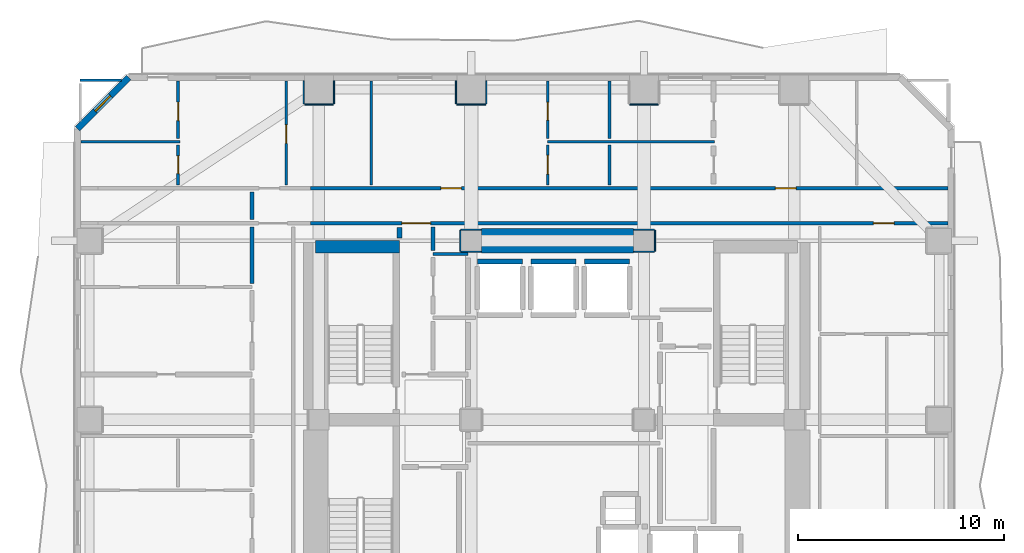
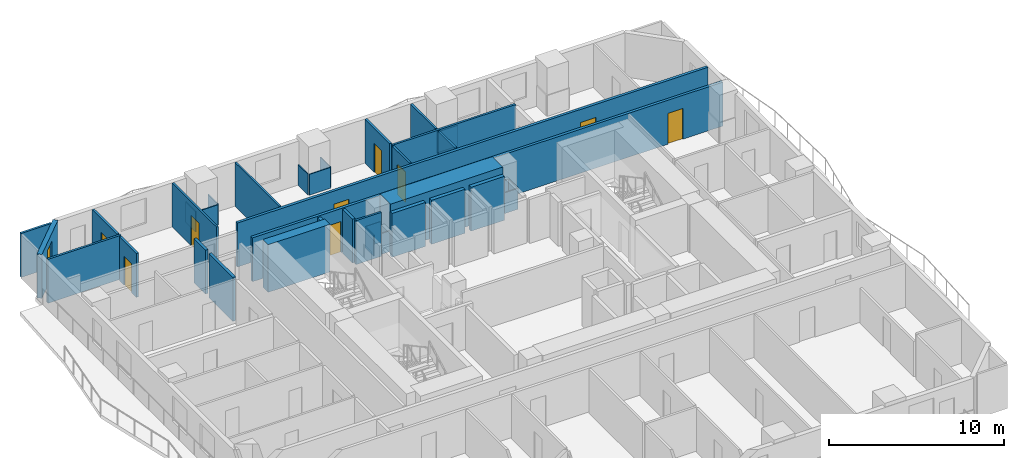
# One storey, part 6 of 11: 37 walls, 9 doors, 1 window, 10 openings.
"""IFC4 building model written with IfcOpenShell, lengths in metres."""

from ifc_helpers import new_model, si_unit, direction, frame, frame_2d, origin, place, context, subcontext, project, spatial, rectangle, extrude, material, layer, layer_set, type_object, element, fill, save


model = new_model("IFC4")

# Units and contexts
model_context = context("Model", 3, precision=1e-05, world=origin(), true_north=direction((0.0, 1.0)))
body_context = subcontext(model_context, "Body", "Model", "MODEL_VIEW")
ifc_project = project(units=[si_unit("LENGTHUNIT", "METRE"), si_unit("AREAUNIT", "SQUARE_METRE"), si_unit("VOLUMEUNIT", "CUBIC_METRE"), si_unit("PLANEANGLEUNIT", "RADIAN"), si_unit("MASSUNIT", "GRAM", prefix="KILO")], contexts=[model_context])

# Site, building, storey
site_placement = place(None, origin())
site = spatial("IfcSite", under=ifc_project, at=site_placement, CompositionType="ELEMENT")
building_placement = place(site_placement, origin())
building = spatial("IfcBuilding", under=site, at=building_placement, Name="Solanera Arch Residences", CompositionType="ELEMENT")
storey_placement = place(building_placement, frame((0.0, 0.0, 25.320068359375)))
storey = spatial("IfcBuildingStorey", under=building, at=storey_placement, Name="L06", CompositionType="ELEMENT", Elevation=25.320068359375)

# Walls
ifc_material_1 = material(Name="Fire-Rated Gypsum Stud Partition", Category="gypsum")
ifc_layer_1 = layer(ifc_material_1, 0.06005859375)
ifc_layer_set_1 = layer_set([ifc_layer_1], Name="Fire-Rated Gypsum Stud Partition")
wall_type_1 = type_object("IfcWallType", Name="Column Acoustic Furring Wall 60", PredefinedType="PARTITIONING", material=ifc_layer_set_1)
for number, where, z_axis, x_axis, name in (
    (1, (20.300048828125, 38.867919921875, 0.0), (0.0, 0.0, 1.0), (1.0, 0.0, 0.0), "L06 Column Furring 3S"),
    (2, (20.300048828125, 39.931884765625, 0.0), (0.0, 0.0, 1.0), (1.0, 0.0, 0.0), "L06 Column Furring 3N"),
):
    element("IfcWall", number, at=place(storey_placement, frame(where, z_axis=z_axis, x_axis=x_axis)), inside=storey, type_object=wall_type_1, Name=name, PredefinedType="PARTITIONING", context=body_context, shape_type="SweptSolid", body=[
        extrude(rectangle(XDim=0.989990234375, YDim=0.06005859375, at=frame_2d((0.4951171875, 0.0))), origin(), (0.0, 0.0, 1.0), 1.449951171875),
    ])
wall_1_placement = place(storey_placement, frame((20.26806640625, 38.89990234375, 0.0), z_axis=(0.0, 0.0, 1.0), x_axis=(0.0, 1.0, 0.0)))
element("IfcWall", 3, at=wall_1_placement, inside=storey, type_object=wall_type_1, Name="L06 Column Furring 3W", PredefinedType="PARTITIONING", context=body_context, shape_type="SweptSolid", body=[
    extrude(rectangle(XDim=1.0, YDim=0.06005859375, at=frame_2d((0.5, 0.0))), origin(), (0.0, 0.0, 1.0), 1.449951171875),
])
for number, where, z_axis, x_axis, name in (
    (4, (28.7099609375, 38.867919921875, 0.0), (0.0, 0.0, 1.0), (1.0, 0.0, 0.0), "L06 Column Furring 4S"),
    (5, (28.7099609375, 39.931884765625, 0.0), (0.0, 0.0, 1.0), (1.0, 0.0, 0.0), "L06 Column Furring 4N"),
):
    element("IfcWall", number, at=place(storey_placement, frame(where, z_axis=z_axis, x_axis=x_axis)), inside=storey, type_object=wall_type_1, Name=name, PredefinedType="PARTITIONING", context=body_context, shape_type="SweptSolid", body=[
        extrude(rectangle(XDim=0.989990234375, YDim=0.06005859375, at=frame_2d((0.4951171875, 0.0))), origin(), (0.0, 0.0, 1.0), 1.449951171875),
    ])
wall_2_placement = place(storey_placement, frame((29.73193359375, 38.89990234375, 0.0), z_axis=(0.0, 0.0, 1.0), x_axis=(0.0, 1.0, 0.0)))
element("IfcWall", 6, at=wall_2_placement, inside=storey, type_object=wall_type_1, Name="L06 Column Furring 4E", PredefinedType="PARTITIONING", context=body_context, shape_type="SweptSolid", body=[
    extrude(rectangle(XDim=1.0, YDim=0.06005859375, at=frame_2d((0.5, 0.0))), origin(), (0.0, 0.0, 1.0), 1.449951171875),
])
wall_3_placement = place(storey_placement, frame((12.699951171875, 46.01806640625, 0.0), z_axis=(0.0, 0.0, 1.0), x_axis=(1.0, 0.0, 0.0)))
element("IfcWall", 7, at=wall_3_placement, inside=storey, type_object=wall_type_1, Name="L06 Column Furring 10S", PredefinedType="PARTITIONING", context=body_context, shape_type="SweptSolid", body=[
    extrude(rectangle(XDim=1.400146484375, YDim=0.06005859375, at=frame_2d((0.7001953125, 0.0))), origin(), (0.0, 0.0, 1.0), 1.449951171875),
])
for number, where, z_axis, x_axis, name in (
    (8, (12.66796875, 46.050048828125, 0.0), (0.0, 0.0, 1.0), (0.0, 1.0, 0.0), "L06 Column Furring 10W"),
    (9, (14.132080078125, 46.050048828125, 0.0), (0.0, 0.0, 1.0), (0.0, 1.0, 0.0), "L06 Column Furring 10E"),
):
    element("IfcWall", number, at=place(storey_placement, frame(where, z_axis=z_axis, x_axis=x_axis)), inside=storey, type_object=wall_type_1, Name=name, PredefinedType="PARTITIONING", context=body_context, shape_type="SweptSolid", body=[
        extrude(rectangle(XDim=1.119873046875, YDim=0.06005859375, at=frame_2d((0.56005859375, 0.0))), origin(), (0.0, 0.0, 1.0), 1.449951171875),
    ])
wall_4_placement = place(storey_placement, frame((20.10009765625, 46.01806640625, 0.0), z_axis=(0.0, 0.0, 1.0), x_axis=(1.0, 0.0, 0.0)))
element("IfcWall", 10, at=wall_4_placement, inside=storey, type_object=wall_type_1, Name="L06 Column Furring 12S", PredefinedType="PARTITIONING", context=body_context, shape_type="SweptSolid", body=[
    extrude(rectangle(XDim=1.39990234375, YDim=0.06005859375, at=frame_2d((0.699951171875, 0.0))), origin(), (0.0, 0.0, 1.0), 1.449951171875),
])
for number, where, z_axis, x_axis, name in (
    (11, (20.068115234375, 46.050048828125, 0.0), (0.0, 0.0, 1.0), (0.0, 1.0, 0.0), "L06 Column Furring 12W"),
    (12, (21.531982421875, 46.050048828125, 0.0), (0.0, 0.0, 1.0), (0.0, 1.0, 0.0), "L06 Column Furring 12E"),
):
    element("IfcWall", number, at=place(storey_placement, frame(where, z_axis=z_axis, x_axis=x_axis)), inside=storey, type_object=wall_type_1, Name=name, PredefinedType="PARTITIONING", context=body_context, shape_type="SweptSolid", body=[
        extrude(rectangle(XDim=1.119873046875, YDim=0.06005859375, at=frame_2d((0.56005859375, 0.0))), origin(), (0.0, 0.0, 1.0), 1.449951171875),
    ])
wall_5_placement = place(storey_placement, frame((28.5, 46.01806640625, 0.0), z_axis=(0.0, 0.0, 1.0), x_axis=(1.0, 0.0, 0.0)))
element("IfcWall", 13, at=wall_5_placement, inside=storey, type_object=wall_type_1, Name="L06 Column Furring 14S", PredefinedType="PARTITIONING", context=body_context, shape_type="SweptSolid", body=[
    extrude(rectangle(XDim=1.39990234375, YDim=0.06005859375, at=frame_2d((0.699951171875, 0.0))), origin(), (0.0, 0.0, 1.0), 1.449951171875),
])
ifc_material_2 = material(Name="Concrete C55/67 (f'c = 60 MPa)", Category="concrete")
ifc_layer_2 = layer(ifc_material_2, 1.199951171875)
ifc_layer_set_2 = layer_set([ifc_layer_2], Name="Concrete C55/67 (f'c = 60 MPa)")
wall_type_2 = type_object("IfcWallType", Name="Core Shear Wall CW-1200", PredefinedType="SHEAR", material=ifc_layer_set_2)
wall_6_placement = place(storey_placement, frame((21.304931640625, 39.39990234375, 0.0), z_axis=(0.0, 0.0, 1.0), x_axis=(1.0, 0.0, 0.0)))
element("IfcWall", 14, at=wall_6_placement, inside=storey, type_object=wall_type_2, Name="L06 Central North Core Shear Wall", PredefinedType="SHEAR", context=body_context, shape_type="SweptSolid", body=[
    extrude(rectangle(XDim=7.39013671875, YDim=1.199951171875, at=frame_2d((3.695068359375, 0.0))), origin(), (0.0, 0.0, 1.0), 3.31982421875),
])
ifc_material_3 = material(Name="Concrete C40/50 (f'c = 45 MPa)", Category="concrete")
ifc_layer_3 = layer(ifc_material_3, 0.60009765625)
ifc_layer_set_3 = layer_set([ifc_layer_3], Name="Concrete C40/50 (f'c = 45 MPa)")
wall_type_3 = type_object("IfcWallType", Name="Core Shear Wall CW-600", PredefinedType="SHEAR", material=ifc_layer_set_3)
wall_7_placement = place(storey_placement, frame((13.239990234375, 39.10009765625, 0.0), z_axis=(0.0, 0.0, 1.0), x_axis=(1.0, 0.0, 0.0)))
element("IfcWall", 15, at=wall_7_placement, inside=storey, type_object=wall_type_3, Name="L06 North-West Core Shear Wall", PredefinedType="SHEAR", context=body_context, shape_type="SweptSolid", body=[
    extrude(rectangle(XDim=4.080078125, YDim=0.60009765625, at=frame_2d((2.0400390625, 0.0))), origin(), (0.0, 0.0, 1.0), 3.31982421875),
])

# Wall, openings, doors
ifc_material_4 = material(Name="Autoclaved Aerated Concrete Blockwork", Category="masonry")
ifc_layer_4 = layer(ifc_material_4, 0.179931640625)
ifc_layer_set_4 = layer_set([ifc_layer_4], Name="Autoclaved Aerated Concrete Blockwork")
wall_type_4 = type_object("IfcWallType", Name="Corridor Fire Partition 180", PredefinedType="PARTITIONING", material=ifc_layer_set_4)
wall_8_placement = place(storey_placement, frame((12.989013671875, 40.25, 0.0), z_axis=(0.0, 0.0, 1.0), x_axis=(1.0, 0.0, 0.0)))
wall_8 = element("IfcWall", 16, at=wall_8_placement, inside=storey, type_object=wall_type_4, Name="L06 Interior Partition H12 3", PredefinedType="PARTITIONING", context=body_context, shape_type="SweptSolid", body=[
    extrude(rectangle(XDim=30.98388671875, YDim=0.179931640625, at=frame_2d((15.491943359375, 0.0))), origin(), (0.0, 0.0, 1.0), 3.059814453125),
])
opening_1_placement = place(wall_8_placement, frame((4.446044921875, 0.0, 0.0)))
opening_1 = element("IfcOpeningElement", 17, at=opening_1_placement, cuts=wall_8, Name="Opening DF-03", PredefinedType="OPENING", context=body_context, shape_type="SweptSolid", body=[
    extrude(rectangle(XDim=1.39990234375, YDim=2.14990234375, at=frame_2d((0.699951171875, 1.074951171875))), frame((0.0, 0.10009765625, 0.0), z_axis=(0.0, -1.0, 0.0), x_axis=(1.0, 0.0, 0.0)), (0.0, 0.0, 1.0), 0.1999),
])
opening_2_placement = place(wall_8_placement, frame((27.362060546875, 0.0, 0.0)))
opening_2 = element("IfcOpeningElement", 18, at=opening_2_placement, cuts=wall_8, Name="Opening DI-01", PredefinedType="OPENING", context=body_context, shape_type="SweptSolid", body=[
    extrude(rectangle(XDim=1.0, YDim=2.14990234375, at=frame_2d((0.5, 1.074951171875))), frame((0.0, 0.10009765625, 0.0), z_axis=(0.0, -1.0, 0.0), x_axis=(1.0, 0.0, 0.0)), (0.0, 0.0, 1.0), 0.1999),
])
ifc_material_5 = material(Name="Fire-Rated Architectural Hardwood", Category="wood")
door_type_1 = type_object("IfcDoorType", Name="Corridor Smoke Door DF-03", OperationType="NOTDEFINED", PredefinedType="DOOR", material=ifc_material_5)
door_1_placement = place(opening_1_placement, origin())
door_1 = element("IfcDoor", 19, at=door_1_placement, inside=storey, type_object=door_type_1, Name="DR-L06-IN-009", OperationType="SINGLE_SWING_LEFT", OverallHeight=2.14990234375, OverallWidth=1.39990234375, PredefinedType="DOOR", context=body_context, shape_type="SweptSolid", body=[
    extrude(rectangle(XDim=1.39990234375, YDim=2.14990234375, at=frame_2d((0.699951171875, 1.074951171875))), frame((0.0, 0.02490234375, 0.0), z_axis=(0.0, -1.0, 0.0), x_axis=(1.0, 0.0, 0.0)), (0.0, 0.0, 1.0), 0.050048828125),
])
fill(opening_1, door_1)
ifc_material_6 = material(Name="Fire-Rated Architectural Hardwood", Category="wood")
door_type_2 = type_object("IfcDoorType", Name="Unit Entrance Fire Door DI-01", OperationType="NOTDEFINED", PredefinedType="DOOR", material=ifc_material_6)
door_2_placement = place(opening_2_placement, origin())
door_2 = element("IfcDoor", 20, at=door_2_placement, inside=storey, type_object=door_type_2, Name="DR-L06-IN-049", OperationType="SINGLE_SWING_LEFT", OverallHeight=2.14990234375, OverallWidth=1.0, PredefinedType="DOOR", context=body_context, shape_type="SweptSolid", body=[
    extrude(rectangle(XDim=1.0, YDim=2.14990234375, at=frame_2d((0.5, 1.074951171875))), frame((0.0, 0.02490234375, 0.0), z_axis=(0.0, -1.0, 0.0), x_axis=(1.0, 0.0, 0.0)), (0.0, 0.0, 1.0), 0.050048828125),
])
fill(opening_2, door_2)

wall_9_placement = place(storey_placement, frame((12.989013671875, 41.949951171875, 0.0), z_axis=(0.0, 0.0, 1.0), x_axis=(1.0, 0.0, 0.0)))
wall_9 = element("IfcWall", 21, at=wall_9_placement, inside=storey, type_object=wall_type_4, Name="L06 Interior Partition H13 3", PredefinedType="PARTITIONING", context=body_context, shape_type="SweptSolid", body=[
    extrude(rectangle(XDim=30.98388671875, YDim=0.179931640625, at=frame_2d((15.491943359375, 0.0))), origin(), (0.0, 0.0, 1.0), 3.059814453125),
])
opening_3_placement = place(wall_9_placement, frame((6.340087890625, 0.0, 0.0)))
opening_3 = element("IfcOpeningElement", 22, at=opening_3_placement, cuts=wall_9, Name="Opening DI-01", PredefinedType="OPENING", context=body_context, shape_type="SweptSolid", body=[
    extrude(rectangle(XDim=1.0, YDim=2.14990234375, at=frame_2d((0.5, 1.074951171875))), frame((0.0, 0.10009765625, 0.0), z_axis=(0.0, -1.0, 0.0), x_axis=(1.0, 0.0, 0.0)), (0.0, 0.0, 1.0), 0.1999),
])
opening_4_placement = place(wall_9_placement, frame((22.60107421875, 0.0, 0.0)))
opening_4 = element("IfcOpeningElement", 23, at=opening_4_placement, cuts=wall_9, Name="Opening DI-01", PredefinedType="OPENING", context=body_context, shape_type="SweptSolid", body=[
    extrude(rectangle(XDim=1.0, YDim=2.14990234375, at=frame_2d((0.5, 1.074951171875))), frame((0.0, 0.10009765625, 0.0), z_axis=(0.0, -1.0, 0.0), x_axis=(1.0, 0.0, 0.0)), (0.0, 0.0, 1.0), 0.1999),
])
door_3_placement = place(opening_3_placement, origin())
door_3 = element("IfcDoor", 24, at=door_3_placement, inside=storey, type_object=door_type_2, Name="DR-L06-IN-031", OperationType="SINGLE_SWING_LEFT", OverallHeight=2.14990234375, OverallWidth=1.0, PredefinedType="DOOR", context=body_context, shape_type="SweptSolid", body=[
    extrude(rectangle(XDim=1.0, YDim=2.14990234375, at=frame_2d((0.5, 1.074951171875))), frame((0.0, 0.02490234375, 0.0), z_axis=(0.0, -1.0, 0.0), x_axis=(1.0, 0.0, 0.0)), (0.0, 0.0, 1.0), 0.050048828125),
])
fill(opening_3, door_3)
door_4_placement = place(opening_4_placement, origin())
door_4 = element("IfcDoor", 25, at=door_4_placement, inside=storey, type_object=door_type_2, Name="DR-L06-IN-034", OperationType="SINGLE_SWING_RIGHT", OverallHeight=2.14990234375, OverallWidth=1.0, PredefinedType="DOOR", context=body_context, shape_type="SweptSolid", body=[
    extrude(rectangle(XDim=1.0, YDim=2.14990234375, at=frame_2d((0.5, 1.074951171875))), frame((0.0, 0.02490234375, 0.0), z_axis=(0.0, -1.0, 0.0), x_axis=(1.0, 0.0, 0.0)), (0.0, 0.0, 1.0), 0.050048828125),
])
fill(opening_4, door_4)

# Walls
wall_10_placement = place(storey_placement, frame((10.14990234375, 37.31298828125, 0.0), z_axis=(0.0, 0.0, 1.0), x_axis=(0.0, 1.0, 0.0)))
element("IfcWall", 26, at=wall_10_placement, inside=storey, type_object=wall_type_4, Name="L06 Interior Partition V7 7", PredefinedType="PARTITIONING", context=body_context, shape_type="SweptSolid", body=[
    extrude(rectangle(XDim=2.7490234375, YDim=0.179931640625, at=frame_2d((1.37451171875, 0.0))), origin(), (0.0, 0.0, 1.0), 3.059814453125),
])
wall_11_placement = place(storey_placement, frame((10.14990234375, 40.43798828125, 0.0), z_axis=(0.0, 0.0, 1.0), x_axis=(0.0, 1.0, 0.0)))
element("IfcWall", 27, at=wall_11_placement, inside=storey, type_object=wall_type_4, Name="L06 Interior Partition V7 8", PredefinedType="PARTITIONING", context=body_context, shape_type="SweptSolid", body=[
    extrude(rectangle(XDim=1.323974609375, YDim=0.179931640625, at=frame_2d((0.662109375, 0.0))), origin(), (0.0, 0.0, 1.0), 3.059814453125),
])
wall_12_placement = place(storey_placement, frame((18.949951171875, 38.91796875, 0.0), z_axis=(0.0, 0.0, 1.0), x_axis=(0.0, 1.0, 0.0)))
element("IfcWall", 28, at=wall_12_placement, inside=storey, type_object=wall_type_4, Name="L06 Interior Partition V9 3", PredefinedType="PARTITIONING", context=body_context, shape_type="SweptSolid", body=[
    extrude(rectangle(XDim=1.14404296875, YDim=0.179931640625, at=frame_2d((0.572021484375, 0.0))), origin(), (0.0, 0.0, 1.0), 3.059814453125),
])

# Wall, opening, window
ifc_material_7 = material(Name="Precast Concrete C35/45", Category="concrete")
ifc_layer_5 = layer(ifc_material_7, 0.300048828125)
ifc_layer_set_5 = layer_set([ifc_layer_5], Name="Precast Concrete C35/45")
wall_type_5 = type_object("IfcWallType", Name="Exterior Wall Precast Masonry-Frame 300", PredefinedType="STANDARD", material=ifc_layer_set_5)
wall_13_placement = place(storey_placement, frame((1.6650390625, 44.8349609375, 0.0), z_axis=(0.0, 0.0, 1.0), x_axis=(0.707106781187, 0.707106781187, 0.0)))
wall_13 = element("IfcWall", 29, at=wall_13_placement, inside=storey, type_object=wall_type_5, Name="L06 Tower Exterior Precast Masonry-Frame Wall CH1", PredefinedType="STANDARD", context=body_context, shape_type="SweptSolid", body=[
    extrude(rectangle(XDim=3.53564453125, YDim=0.300048828125, at=frame_2d((1.767822265625, 0.0))), origin(), (0.0, 0.0, 1.0), 3.059814453125),
])
opening_5_placement = place(wall_13_placement, frame((1.219970703125, 0.0, 0.85009765625)))
opening_5 = element("IfcOpeningElement", 30, at=opening_5_placement, cuts=wall_13, Name="Opening W-07", PredefinedType="OPENING", context=body_context, shape_type="SweptSolid", body=[
    extrude(rectangle(XDim=1.050048828125, YDim=1.64990234375, at=frame_2d((0.52490234375, 0.824951171875))), frame((0.0, 0.159912109375, 0.0), z_axis=(0.0, -1.0, 0.0), x_axis=(1.0, 0.0, 0.0)), (0.0, 0.0, 1.0), 0.32),
])
ifc_material_8 = material(Name="Double Glazed Low-E Laminated Glass", Category="glass")
window_type = type_object("IfcWindowType", Name="Punched Window W-07", PartitioningType="SINGLE_PANEL", PredefinedType="WINDOW", material=ifc_material_8)
window_placement = place(opening_5_placement, origin())
window = element("IfcWindow", 31, at=window_placement, inside=storey, type_object=window_type, Name="L06 0605-BR1 Corner Punched Window", OverallHeight=1.64990234375, OverallWidth=1.050048828125, PartitioningType="SINGLE_PANEL", PredefinedType="WINDOW", context=body_context, shape_type="SweptSolid", body=[
    extrude(rectangle(XDim=1.050048828125, YDim=1.64990234375, at=frame_2d((0.52490234375, 0.824951171875))), frame((0.0, 0.030029296875, 0.0), z_axis=(0.0, -1.0, 0.0), x_axis=(1.0, 0.0, 0.0)), (0.0, 0.0, 1.0), 0.06005859375),
])
fill(opening_5, window)

# Walls
ifc_material_9 = material(Name="Autoclaved Aerated Concrete Blockwork", Category="masonry")
ifc_layer_6 = layer(ifc_material_9, 0.239990234375)
ifc_layer_set_6 = layer_set([ifc_layer_6], Name="Autoclaved Aerated Concrete Blockwork")
wall_type_6 = type_object("IfcWallType", Name="Shaft Wall Fire-Rated 240", PredefinedType="PARTITIONING", material=ifc_layer_set_6)
for number, where, z_axis, x_axis, name in (
    (32, (21.10009765625, 38.39990234375, 0.0), (0.0, 0.0, 1.0), (1.0, 0.0, 0.0), "L06 Lift PL-L1 Hoistway Wall N"),
    (33, (23.699951171875, 38.39990234375, 0.0), (0.0, 0.0, 1.0), (1.0, 0.0, 0.0), "L06 Lift PL-L2 Hoistway Wall N"),
    (34, (26.300048828125, 38.39990234375, 0.0), (0.0, 0.0, 1.0), (1.0, 0.0, 0.0), "L06 Lift PL-L3 Hoistway Wall N"),
):
    element("IfcWall", number, at=place(storey_placement, frame(where, z_axis=z_axis, x_axis=x_axis)), inside=storey, type_object=wall_type_6, Name=name, PredefinedType="PARTITIONING", context=body_context, shape_type="SweptSolid", body=[
        extrude(rectangle(XDim=2.199951171875, YDim=0.239990234375, at=frame_2d((1.10009765625, 0.0))), origin(), (0.0, 0.0, 1.0), 3.059814453125),
    ])
wall_14_placement = place(storey_placement, frame((17.320068359375, 39.530029296875, 0.0), z_axis=(0.0, 0.0, 1.0), x_axis=(0.0, 1.0, 0.0)))
element("IfcWall", 35, at=wall_14_placement, inside=storey, type_object=wall_type_6, Name="L06 Interior Partition V1", PredefinedType="PARTITIONING", context=body_context, shape_type="SweptSolid", body=[
    extrude(rectangle(XDim=0.501953125, YDim=0.239990234375, at=frame_2d((0.2509765625, 0.0))), origin(), (0.0, 0.0, 1.0), 3.059814453125),
])

# Wall, opening, door
ifc_material_10 = material(Name="Fire-Rated Gypsum Stud Partition", Category="gypsum")
ifc_layer_7 = layer(ifc_material_10, 0.1201171875)
ifc_layer_set_7 = layer_set([ifc_layer_7], Name="Fire-Rated Gypsum Stud Partition")
wall_type_7 = type_object("IfcWallType", Name="Unit Drywall Partition 120", PredefinedType="PARTITIONING", material=ifc_layer_set_7)
wall_15_placement = place(storey_placement, frame((11.820068359375, 42.10791015625, 0.0), z_axis=(0.0, 0.0, 1.0), x_axis=(0.0, 1.0, 0.0)))
wall_15 = element("IfcWall", 36, at=wall_15_placement, inside=storey, type_object=wall_type_7, Name="L06 Interior Partition V26", PredefinedType="PARTITIONING", context=body_context, shape_type="SweptSolid", body=[
    extrude(rectangle(XDim=5.065185546875, YDim=0.1201171875, at=frame_2d((2.53271484375, 0.0))), origin(), (0.0, 0.0, 1.0), 3.059814453125),
])
opening_6_placement = place(wall_15_placement, frame((2.01708984375, 0.0, 0.0)))
opening_6 = element("IfcOpeningElement", 37, at=opening_6_placement, cuts=wall_15, Name="Opening DI-02", PredefinedType="OPENING", context=body_context, shape_type="SweptSolid", body=[
    extrude(rectangle(XDim=0.89990234375, YDim=2.10009765625, at=frame_2d((0.449951171875, 1.050048828125))), frame((0.0, 0.070068359375, 0.0), z_axis=(0.0, -1.0, 0.0), x_axis=(1.0, 0.0, 0.0)), (0.0, 0.0, 1.0), 0.1401),
])
ifc_material_11 = material(Name="Fire-Rated Architectural Hardwood", Category="wood")
door_type_3 = type_object("IfcDoorType", Name="Suite Room Swing Door DI-02", OperationType="NOTDEFINED", PredefinedType="DOOR", material=ifc_material_11)
door_5_placement = place(opening_6_placement, origin())
door_5 = element("IfcDoor", 38, at=door_5_placement, inside=storey, type_object=door_type_3, Name="DR-L06-IN-030", OperationType="SINGLE_SWING_RIGHT", OverallHeight=2.10009765625, OverallWidth=0.89990234375, PredefinedType="DOOR", context=body_context, shape_type="SweptSolid", body=[
    extrude(rectangle(XDim=0.89990234375, YDim=2.10009765625, at=frame_2d((0.449951171875, 1.050048828125))), frame((0.0, 0.02490234375, 0.0), z_axis=(0.0, -1.0, 0.0), x_axis=(1.0, 0.0, 0.0)), (0.0, 0.0, 1.0), 0.050048828125),
])
fill(opening_6, door_5)

# Walls
wall_16_placement = place(storey_placement, frame((15.93798828125, 42.10791015625, 0.0), z_axis=(0.0, 0.0, 1.0), x_axis=(0.0, 1.0, 0.0)))
element("IfcWall", 39, at=wall_16_placement, inside=storey, type_object=wall_type_7, Name="L06 Interior Partition V27", PredefinedType="PARTITIONING", context=body_context, shape_type="SweptSolid", body=[
    extrude(rectangle(XDim=5.065185546875, YDim=0.1201171875, at=frame_2d((2.53271484375, 0.0))), origin(), (0.0, 0.0, 1.0), 3.059814453125),
])
ifc_material_12 = material(Name="Autoclaved Aerated Concrete Blockwork", Category="masonry")
ifc_layer_8 = layer(ifc_material_12, 0.139892578125)
ifc_layer_set_8 = layer_set([ifc_layer_8], Name="Autoclaved Aerated Concrete Blockwork")
wall_type_8 = type_object("IfcWallType", Name="Wet-Room Partition 140", PredefinedType="PARTITIONING", material=ifc_layer_set_8)
wall_17_placement = place(storey_placement, frame((18.949951171875, 38.75, 0.0), z_axis=(0.0, 0.0, 1.0), x_axis=(1.0, 0.0, 0.0)))
element("IfcWall", 40, at=wall_17_placement, inside=storey, type_object=wall_type_8, Name="L06 Interior Partition H23", PredefinedType="PARTITIONING", context=body_context, shape_type="SweptSolid", body=[
    extrude(rectangle(XDim=1.699951171875, YDim=0.139892578125, at=frame_2d((0.85009765625, 0.0))), origin(), (0.0, 0.0, 1.0), 3.059814453125),
])
wall_18_placement = place(storey_placement, frame((1.826904296875, 44.2080078125, 0.0), z_axis=(0.0, 0.0, 1.0), x_axis=(1.0, 0.0, 0.0)))
element("IfcWall", 41, at=wall_18_placement, inside=storey, type_object=wall_type_8, Name="L06 Interior Partition H24", PredefinedType="PARTITIONING", context=body_context, shape_type="SweptSolid", body=[
    extrude(rectangle(XDim=4.819091796875, YDim=0.139892578125, at=frame_2d((2.40966796875, 0.0))), origin(), (0.0, 0.0, 1.0), 3.059814453125),
])
wall_19_placement = place(storey_placement, frame((24.52001953125, 44.2080078125, 0.0), z_axis=(0.0, 0.0, 1.0), x_axis=(1.0, 0.0, 0.0)))
element("IfcWall", 42, at=wall_19_placement, inside=storey, type_object=wall_type_8, Name="L06 Interior Partition H25", PredefinedType="PARTITIONING", context=body_context, shape_type="SweptSolid", body=[
    extrude(rectangle(XDim=8.10888671875, YDim=0.139892578125, at=frame_2d((4.054443359375, 0.0))), origin(), (0.0, 0.0, 1.0), 3.059814453125),
])
wall_20_placement = place(storey_placement, frame((1.800048828125, 47.199951171875, 0.0), z_axis=(0.0, 0.0, 1.0), x_axis=(1.0, 0.0, 0.0)))
element("IfcWall", 43, at=wall_20_placement, inside=storey, type_object=wall_type_8, Name="L06 Interior Partition H26 1", PredefinedType="PARTITIONING", context=body_context, shape_type="SweptSolid", body=[
    extrude(rectangle(XDim=2.0009765625, YDim=0.139892578125, at=frame_2d((1.00048828125, 0.0))), origin(), (0.0, 0.0, 1.0), 3.059814453125),
])

# Wall, opening, door
wall_21_placement = place(storey_placement, frame((6.55908203125, 42.117919921875, 0.0), z_axis=(0.0, 0.0, 1.0), x_axis=(0.0, 1.0, 0.0)))
wall_21 = element("IfcWall", 44, at=wall_21_placement, inside=storey, type_object=wall_type_8, Name="L06 Interior Partition V17 1", PredefinedType="PARTITIONING", context=body_context, shape_type="SweptSolid", body=[
    extrude(rectangle(XDim=1.942138671875, YDim=0.139892578125, at=frame_2d((0.97119140625, 0.0))), origin(), (0.0, 0.0, 1.0), 3.059814453125),
])
opening_7_placement = place(wall_21_placement, frame((0.5439453125, 0.0, 0.0)))
opening_7 = element("IfcOpeningElement", 45, at=opening_7_placement, cuts=wall_21, Name="Opening DI-05", PredefinedType="OPENING", context=body_context, shape_type="SweptSolid", body=[
    extrude(rectangle(XDim=0.860107421875, YDim=2.02001953125, at=frame_2d((0.43017578125, 1.010009765625))), frame((0.0, 0.079833984375, 0.0), z_axis=(0.0, -1.0, 0.0), x_axis=(1.0, 0.0, 0.0)), (0.0, 0.0, 1.0), 0.1599),
])
ifc_material_13 = material(Name="Fire-Rated Architectural Hardwood", Category="wood")
door_type_4 = type_object("IfcDoorType", Name="Bathroom Swing Door DI-05", OperationType="NOTDEFINED", PredefinedType="DOOR", material=ifc_material_13)
door_6_placement = place(opening_7_placement, origin())
door_6 = element("IfcDoor", 46, at=door_6_placement, inside=storey, type_object=door_type_4, Name="DR-L06-IN-028", OperationType="SINGLE_SWING_RIGHT", OverallHeight=2.02001953125, OverallWidth=0.860107421875, PredefinedType="DOOR", context=body_context, shape_type="SweptSolid", body=[
    extrude(rectangle(XDim=0.860107421875, YDim=2.02001953125, at=frame_2d((0.43017578125, 1.010009765625))), frame((0.0, 0.02490234375, 0.0), z_axis=(0.0, -1.0, 0.0), x_axis=(1.0, 0.0, 0.0)), (0.0, 0.0, 1.0), 0.050048828125),
])
fill(opening_7, door_6)

wall_22_placement = place(storey_placement, frame((6.55908203125, 44.35595703125, 0.0), z_axis=(0.0, 0.0, 1.0), x_axis=(0.0, 1.0, 0.0)))
wall_22 = element("IfcWall", 47, at=wall_22_placement, inside=storey, type_object=wall_type_8, Name="L06 Interior Partition V17 2", PredefinedType="PARTITIONING", context=body_context, shape_type="SweptSolid", body=[
    extrude(rectangle(XDim=2.817138671875, YDim=0.139892578125, at=frame_2d((1.40869140625, 0.0))), origin(), (0.0, 0.0, 1.0), 3.059814453125),
])
opening_8_placement = place(wall_22_placement, frame((0.885009765625, 0.0, 0.0)))
opening_8 = element("IfcOpeningElement", 48, at=opening_8_placement, cuts=wall_22, Name="Opening DI-03", PredefinedType="OPENING", context=body_context, shape_type="SweptSolid", body=[
    extrude(rectangle(XDim=0.89990234375, YDim=2.10009765625, at=frame_2d((0.449951171875, 1.050048828125))), frame((0.0, 0.079833984375, 0.0), z_axis=(0.0, -1.0, 0.0), x_axis=(1.0, 0.0, 0.0)), (0.0, 0.0, 1.0), 0.1599),
])
ifc_material_14 = material(Name="Fire-Rated Architectural Hardwood", Category="wood")
door_type_5 = type_object("IfcDoorType", Name="Bedroom Swing Door DI-03", OperationType="NOTDEFINED", PredefinedType="DOOR", material=ifc_material_14)
door_7_placement = place(opening_8_placement, origin())
door_7 = element("IfcDoor", 49, at=door_7_placement, inside=storey, type_object=door_type_5, Name="DR-L06-IN-029", OperationType="SINGLE_SWING_LEFT", OverallHeight=2.10009765625, OverallWidth=0.89990234375, PredefinedType="DOOR", context=body_context, shape_type="SweptSolid", body=[
    extrude(rectangle(XDim=0.89990234375, YDim=2.10009765625, at=frame_2d((0.449951171875, 1.050048828125))), frame((0.0, 0.02490234375, 0.0), z_axis=(0.0, -1.0, 0.0), x_axis=(1.0, 0.0, 0.0)), (0.0, 0.0, 1.0), 0.050048828125),
])
fill(opening_8, door_7)

wall_23_placement = place(storey_placement, frame((24.52001953125, 42.117919921875, 0.0), z_axis=(0.0, 0.0, 1.0), x_axis=(0.0, 1.0, 0.0)))
wall_23 = element("IfcWall", 50, at=wall_23_placement, inside=storey, type_object=wall_type_8, Name="L06 Interior Partition V21 1", PredefinedType="PARTITIONING", context=body_context, shape_type="SweptSolid", body=[
    extrude(rectangle(XDim=1.942138671875, YDim=0.139892578125, at=frame_2d((0.97119140625, 0.0))), origin(), (0.0, 0.0, 1.0), 3.059814453125),
])
opening_9_placement = place(wall_23_placement, frame((0.52392578125, 0.0, 0.0)))
opening_9 = element("IfcOpeningElement", 51, at=opening_9_placement, cuts=wall_23, Name="Opening DI-02", PredefinedType="OPENING", context=body_context, shape_type="SweptSolid", body=[
    extrude(rectangle(XDim=0.89990234375, YDim=2.10009765625, at=frame_2d((0.449951171875, 1.050048828125))), frame((0.0, 0.079833984375, 0.0), z_axis=(0.0, -1.0, 0.0), x_axis=(1.0, 0.0, 0.0)), (0.0, 0.0, 1.0), 0.1599),
])
door_8_placement = place(opening_9_placement, origin())
door_8 = element("IfcDoor", 52, at=door_8_placement, inside=storey, type_object=door_type_3, Name="DR-L06-IN-032", OperationType="SINGLE_SWING_RIGHT", OverallHeight=2.10009765625, OverallWidth=0.89990234375, PredefinedType="DOOR", context=body_context, shape_type="SweptSolid", body=[
    extrude(rectangle(XDim=0.89990234375, YDim=2.10009765625, at=frame_2d((0.449951171875, 1.050048828125))), frame((0.0, 0.02490234375, 0.0), z_axis=(0.0, -1.0, 0.0), x_axis=(1.0, 0.0, 0.0)), (0.0, 0.0, 1.0), 0.050048828125),
])
fill(opening_9, door_8)

wall_24_placement = place(storey_placement, frame((24.52001953125, 44.35595703125, 0.0), z_axis=(0.0, 0.0, 1.0), x_axis=(0.0, 1.0, 0.0)))
wall_24 = element("IfcWall", 53, at=wall_24_placement, inside=storey, type_object=wall_type_8, Name="L06 Interior Partition V21 2", PredefinedType="PARTITIONING", context=body_context, shape_type="SweptSolid", body=[
    extrude(rectangle(XDim=2.817138671875, YDim=0.139892578125, at=frame_2d((1.40869140625, 0.0))), origin(), (0.0, 0.0, 1.0), 3.059814453125),
])
opening_10_placement = place(wall_24_placement, frame((0.905029296875, 0.0, 0.0)))
opening_10 = element("IfcOpeningElement", 54, at=opening_10_placement, cuts=wall_24, Name="Opening DI-05", PredefinedType="OPENING", context=body_context, shape_type="SweptSolid", body=[
    extrude(rectangle(XDim=0.860107421875, YDim=2.02001953125, at=frame_2d((0.43017578125, 1.010009765625))), frame((0.0, 0.079833984375, 0.0), z_axis=(0.0, -1.0, 0.0), x_axis=(1.0, 0.0, 0.0)), (0.0, 0.0, 1.0), 0.1599),
])
door_9_placement = place(opening_10_placement, origin())
door_9 = element("IfcDoor", 55, at=door_9_placement, inside=storey, type_object=door_type_4, Name="DR-L06-IN-033", OperationType="SINGLE_SWING_LEFT", OverallHeight=2.02001953125, OverallWidth=0.860107421875, PredefinedType="DOOR", context=body_context, shape_type="SweptSolid", body=[
    extrude(rectangle(XDim=0.860107421875, YDim=2.02001953125, at=frame_2d((0.43017578125, 1.010009765625))), frame((0.0, 0.02490234375, 0.0), z_axis=(0.0, -1.0, 0.0), x_axis=(1.0, 0.0, 0.0)), (0.0, 0.0, 1.0), 0.050048828125),
])
fill(opening_10, door_9)

# Walls
wall_25_placement = place(storey_placement, frame((27.52001953125, 42.117919921875, 0.0), z_axis=(0.0, 0.0, 1.0), x_axis=(0.0, 1.0, 0.0)))
element("IfcWall", 56, at=wall_25_placement, inside=storey, type_object=wall_type_8, Name="L06 Interior Partition V23 1", PredefinedType="PARTITIONING", context=body_context, shape_type="SweptSolid", body=[
    extrude(rectangle(XDim=1.942138671875, YDim=0.139892578125, at=frame_2d((0.97119140625, 0.0))), origin(), (0.0, 0.0, 1.0), 3.059814453125),
])
wall_26_placement = place(storey_placement, frame((27.52001953125, 44.35595703125, 0.0), z_axis=(0.0, 0.0, 1.0), x_axis=(0.0, 1.0, 0.0)))
element("IfcWall", 57, at=wall_26_placement, inside=storey, type_object=wall_type_8, Name="L06 Interior Partition V23 2", PredefinedType="PARTITIONING", context=body_context, shape_type="SweptSolid", body=[
    extrude(rectangle(XDim=2.817138671875, YDim=0.139892578125, at=frame_2d((1.40869140625, 0.0))), origin(), (0.0, 0.0, 1.0), 3.059814453125),
])

save(model, "model.ifc")
